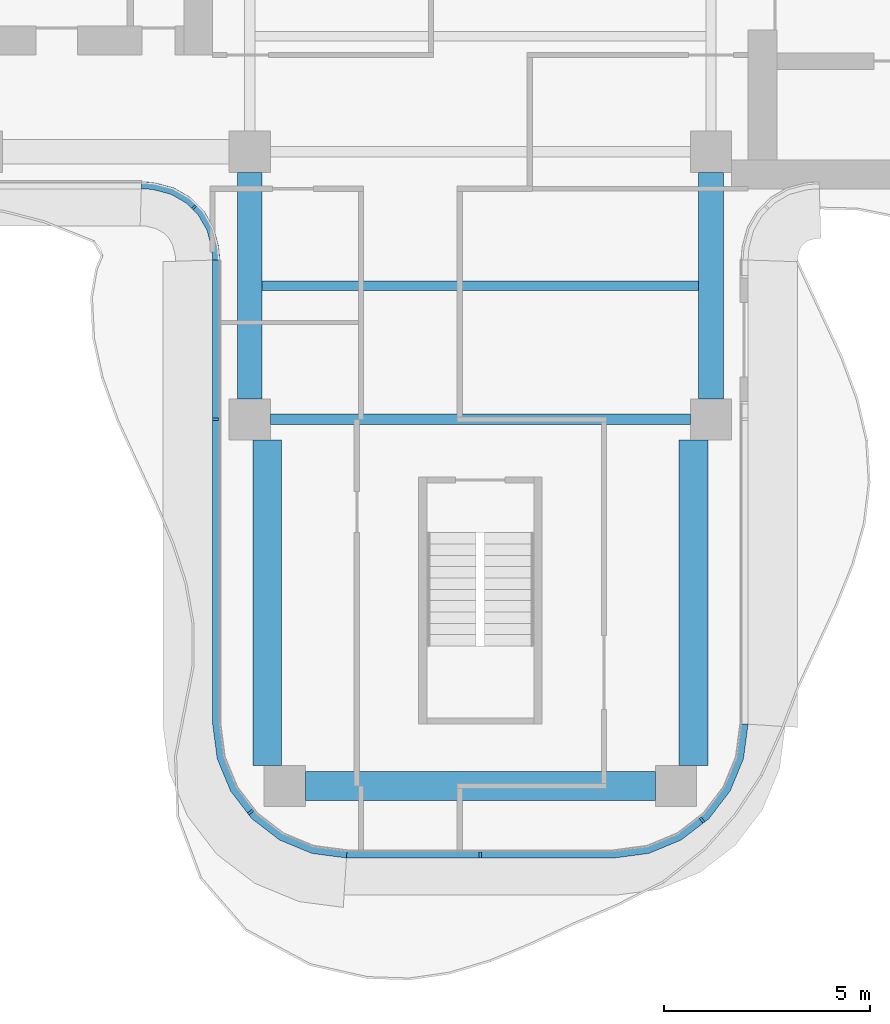
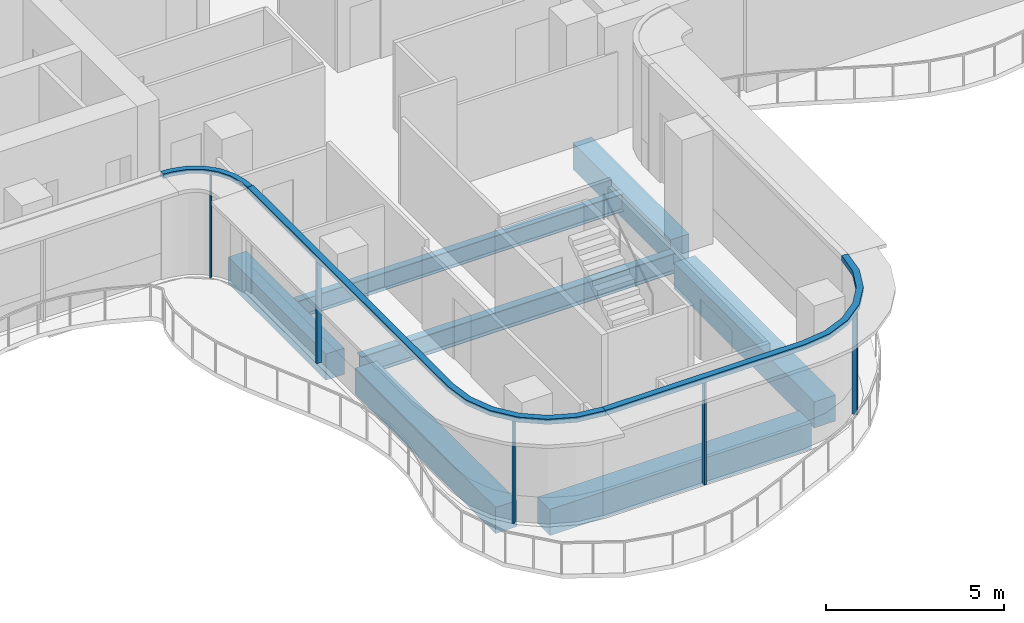
# One storey, part 2 of 17: 8 members, 7 beams, 3 elements without a shape of their own.
"""IFC4 building model written with IfcOpenShell, lengths in metres."""

from ifc_helpers import new_model, si_unit, direction, frame, origin, origin_2d, place, context, subcontext, project, spatial, polyline, rectangle, i_section, outline, extrude, source, transform, mapped, material, layer, layer_set, material_profile, profile_set, type_object, element, aggregate, save


model = new_model("IFC4")

# Units and contexts
model_context = context("Model", 3, precision=1e-05, world=origin(), true_north=direction((0.0, 1.0)))
body_context = subcontext(model_context, "Body", "Model", "MODEL_VIEW")
ifc_project = project(units=[si_unit("LENGTHUNIT", "METRE"), si_unit("AREAUNIT", "SQUARE_METRE"), si_unit("VOLUMEUNIT", "CUBIC_METRE"), si_unit("PLANEANGLEUNIT", "RADIAN"), si_unit("MASSUNIT", "GRAM", prefix="KILO")], contexts=[model_context])

# Site, building, storey
site_placement = place(None, origin())
site = spatial("IfcSite", under=ifc_project, at=site_placement, CompositionType="ELEMENT")
building_placement = place(site_placement, origin())
building = spatial("IfcBuilding", under=site, at=building_placement, Name="Trellis Farm Tower", CompositionType="ELEMENT")
storey_placement = place(building_placement, frame((0.0, 0.0, 283.300048828125)))
storey = spatial("IfcBuildingStorey", under=building, at=storey_placement, Name="L63", CompositionType="ELEMENT", Elevation=283.300048828125)

# Beams
ifc_material_1 = material(Name="Steel S355", Category="steel")
ifc_material_profile_1 = material_profile(ifc_material_1, i_section(OverallWidth=0.22900390625, OverallDepth=0.6123046875, WebThickness=0.011962890625, FlangeThickness=0.01953125, FilletRadius=0.0126953125, at=origin_2d()), Name="UB 610x229x125")
ifc_profile_set_1 = profile_set([ifc_material_profile_1], Name="Steel S355")
beam_type_1 = type_object("IfcBeamType", Name="UB 610x229x125 joist", PredefinedType="JOIST", material=ifc_profile_set_1)
shared_shape_1 = source(origin(), body_context, "Body", "SweptSolid", [
    extrude(i_section(OverallWidth=0.22900390625, OverallDepth=0.6123046875, WebThickness=0.011962890625, FlangeThickness=0.01953125, FilletRadius=0.0126953125, at=origin_2d()), origin(), (0.0, 0.0, 1.0), 10.60009765625),
])
beam_1_placement = place(storey_placement, frame((-5.300048828125, -8.85009765625, -0.506103515625), z_axis=(1.0, 0.0, 0.0), x_axis=(0.0, 1.0, 0.0)))
element("IfcBeam", 1, at=beam_1_placement, inside=storey, type_object=beam_type_1, Name="Floor beam", PredefinedType="JOIST", context=body_context, shape_type="MappedRepresentation", body=[
    mapped(shared_shape_1, transform((0.0, 0.0, 0.0))),
])
ifc_material_profile_2 = material_profile(ifc_material_1, i_section(OverallWidth=0.253662109375, OverallDepth=0.68359375, WebThickness=0.012451171875, FlangeThickness=0.021728515625, FilletRadius=0.01513671875, at=origin_2d()), Name="UB 686x254x140")
ifc_profile_set_2 = profile_set([ifc_material_profile_2], Name="Steel S355")
beam_type_2 = type_object("IfcBeamType", Name="UB 686x254x140", PredefinedType="BEAM", material=ifc_profile_set_2)
shared_shape_2 = source(origin(), body_context, "Body", "SweptSolid", [
    extrude(i_section(OverallWidth=0.253662109375, OverallDepth=0.68359375, WebThickness=0.012451171875, FlangeThickness=0.021728515625, FilletRadius=0.01513671875, at=origin_2d()), origin(), (0.0, 0.0, 1.0), 10.2001953125),
])
beam_2_placement = place(storey_placement, frame((-5.10009765625, -12.10009765625, -0.541748046875), z_axis=(1.0, 0.0, 0.0), x_axis=(0.0, 1.0, 0.0)))
element("IfcBeam", 2, at=beam_2_placement, inside=storey, type_object=beam_type_2, Name="Girder", PredefinedType="BEAM", context=body_context, shape_type="MappedRepresentation", body=[
    mapped(shared_shape_2, transform((0.0, 0.0, 0.0))),
])
ifc_material_2 = material(Name="Concrete C60/75", Category="concrete")
ifc_material_profile_3 = material_profile(ifc_material_2, rectangle(XDim=0.60009765625, YDim=0.89990234375, at=origin_2d()), Name="RC spandrel beam 600x900 C60/75")
ifc_profile_set_3 = profile_set([ifc_material_profile_3], Name="Concrete C60/75")
beam_type_3 = type_object("IfcBeamType", Name="RC spandrel beam 600x900 C60/75", PredefinedType="SPANDREL", material=ifc_profile_set_3)
shared_shape_3 = source(origin(), body_context, "Body", "SweptSolid", [
    extrude(rectangle(XDim=0.60009765625, YDim=0.89990234375, at=origin_2d()), origin(), (0.0, 0.0, 1.0), 5.5),
])
for number, where, z_axis, x_axis, name in (
    (3, (-5.60009765625, -11.60009765625, -0.650146484375), (0.0, 1.0, 0.0), (-1.0, 0.0, 0.0), "Girder"),
    (4, (5.60009765625, -11.60009765625, -0.650146484375), (0.0, 1.0, 0.0), (-1.0, 0.0, 0.0), "Girder"),
):
    element("IfcBeam", number, at=place(storey_placement, frame(where, z_axis=z_axis, x_axis=x_axis)), inside=storey, type_object=beam_type_3, Name=name, PredefinedType="SPANDREL", context=body_context, shape_type="MappedRepresentation", body=[
        mapped(shared_shape_3, transform((0.0, 0.0, 0.0))),
    ])
ifc_material_profile_4 = material_profile(ifc_material_2, rectangle(XDim=0.699951171875, YDim=0.89990234375, at=origin_2d()), Name="RC spandrel beam 700x900 C60/75")
ifc_profile_set_4 = profile_set([ifc_material_profile_4], Name="Concrete C60/75")
beam_type_4 = type_object("IfcBeamType", Name="RC spandrel beam 700x900 C60/75", PredefinedType="SPANDREL", material=ifc_profile_set_4)
shared_shape_4 = source(origin(), body_context, "Body", "SweptSolid", [
    extrude(rectangle(XDim=0.699951171875, YDim=0.89990234375, at=origin_2d()), origin(), (0.0, 0.0, 1.0), 8.5),
])
beam_3_placement = place(storey_placement, frame((-4.25, -21.0, -0.650146484375), z_axis=(1.0, 0.0, 0.0), x_axis=(0.0, 1.0, 0.0)))
element("IfcBeam", 5, at=beam_3_placement, inside=storey, type_object=beam_type_4, Name="Girder", PredefinedType="SPANDREL", context=body_context, shape_type="MappedRepresentation", body=[
    mapped(shared_shape_4, transform((0.0, 0.0, 0.0))),
])
shared_shape_5 = source(origin(), body_context, "Body", "SweptSolid", [
    extrude(rectangle(XDim=0.699951171875, YDim=0.89990234375, at=origin_2d()), origin(), (0.0, 0.0, 1.0), 7.89990234375),
])
for number, where, z_axis, x_axis, name in (
    (6, (-5.175048828125, -20.5, -0.650146484375), (0.0, 1.0, 0.0), (-1.0, 0.0, 0.0), "Girder"),
    (7, (5.175048828125, -20.5, -0.650146484375), (0.0, 1.0, 0.0), (-1.0, 0.0, 0.0), "Girder"),
):
    element("IfcBeam", number, at=place(storey_placement, frame(where, z_axis=z_axis, x_axis=x_axis)), inside=storey, type_object=beam_type_4, Name=name, PredefinedType="SPANDREL", context=body_context, shape_type="MappedRepresentation", body=[
        mapped(shared_shape_5, transform((0.0, 0.0, 0.0))),
    ])

# Curtain wall, member
ifc_material_3 = material(Name="Aluminium and glass curtain wall", Category="aluminium")
ifc_layer_1 = layer(ifc_material_3, 0.166015625)
ifc_layer_set_1 = layer_set([ifc_layer_1], Name="WINTER GARDEN CURTAIN WALL CW3")
curtain_wall_type_1 = type_object("IfcCurtainWallType", Name="WINTER GARDEN CURTAIN WALL CW3", PredefinedType="NOTDEFINED", material=ifc_layer_set_1)
placement_1 = place(storey_placement, origin())
curtain_wall_1 = element("IfcCurtainWall", 8, at=placement_1, inside=storey, type_object=curtain_wall_type_1, Name="CW3 001", PredefinedType="NOTDEFINED")
ifc_material_4 = material(Name="Aluminium extrusion 6063-T6", Category="aluminium")
ifc_layer_2 = layer(ifc_material_4, 0.169921875)
ifc_layer_set_2 = layer_set([ifc_layer_2], Name="Aluminium extrusion 6063-T6")
member_type_1 = type_object("IfcMemberType", Name="CW3 TRANSOM 170x150", PredefinedType="USERDEFINED", material=ifc_layer_set_2)
shared_shape_6 = source(origin(), body_context, "Body", "SweptSolid", [
    extrude(outline(polyline([(-8.2314453125, -6.5), (-8.01953125, -6.513916015625), (-7.91552734375, -6.527587890625), (-7.508544921875, -6.63671875), (-7.144287109375, -6.846923828125), (-6.846923828125, -7.144287109375), (-6.63671875, -7.508544921875), (-6.527587890625, -7.91552734375), (-6.513916015625, -8.01953125), (-6.5, -8.2314453125), (-6.330078125, -8.225830078125), (-6.3447265625, -8.0029296875), (-6.360595703125, -7.88232421875), (-6.478271484375, -7.44287109375), (-6.7109375, -7.0400390625), (-7.0400390625, -6.7109375), (-7.44287109375, -6.478271484375), (-7.88232421875, -6.360595703125), (-8.0029296875, -6.3447265625), (-8.225830078125, -6.330078125), (-8.2314453125, -6.5)])), origin(), (0.0, 0.0, 1.0), 0.14990234375),
])
member_1_placement = place(storey_placement, frame((0.0, 0.0, 3.550048828125)))
member_1 = element("IfcMember", 9, at=member_1_placement, type_object=member_type_1, Name="TR3 001", ObjectType="TRANSOM", PredefinedType="USERDEFINED", context=body_context, shape_type="MappedRepresentation", body=[
    mapped(shared_shape_6, transform((0.0, 0.0, 0.0))),
])

# Curtain wall, members
ifc_layer_3 = layer(ifc_material_3, 0.18994140625)
ifc_layer_set_3 = layer_set([ifc_layer_3], Name="RIBBON CURTAIN WALL CW1")
curtain_wall_type_2 = type_object("IfcCurtainWallType", Name="RIBBON CURTAIN WALL CW1", PredefinedType="NOTDEFINED", material=ifc_layer_set_3)
curtain_wall_2 = element("IfcCurtainWall", 10, at=placement_1, inside=storey, type_object=curtain_wall_type_2, Name="CW1 002", PredefinedType="NOTDEFINED")
ifc_material_profile_5 = material_profile(ifc_material_4, rectangle(XDim=0.06005859375, YDim=0.14990234375, at=origin_2d()), Name="MULLION 60x150")
ifc_profile_set_5 = profile_set([ifc_material_profile_5], Name="Aluminium extrusion 6063-T6")
member_type_2 = type_object("IfcMemberType", Name="CW1 MULLION 60x150", PredefinedType="MULLION", material=ifc_profile_set_5)
shared_shape_7 = source(origin(), body_context, "Body", "SweptSolid", [
    extrude(rectangle(XDim=0.06005859375, YDim=0.14990234375, at=origin_2d()), origin(), (0.0, 0.0, 1.0), 3.52001953125),
])
member_2_placement = place(storey_placement, frame((-6.425048828125, -12.10009765625, 0.0), z_axis=(0.0, 0.0, 1.0), x_axis=(0.0, -1.0, 0.0)))
member_2 = element("IfcMember", 11, at=member_2_placement, type_object=member_type_2, Name="MU1 002-01", PredefinedType="MULLION", context=body_context, shape_type="MappedRepresentation", body=[
    mapped(shared_shape_7, transform((0.0, 0.0, 0.0))),
])
member_3_placement = place(storey_placement, frame((-5.578369140625, -21.635498046875, 0.0), z_axis=(0.0, 0.0, 1.0), x_axis=(0.608761429009, -0.793353340291, 0.0)))
member_3 = element("IfcMember", 12, at=member_3_placement, type_object=member_type_2, Name="MU1 002-02", PredefinedType="MULLION", context=body_context, shape_type="MappedRepresentation", body=[
    mapped(shared_shape_7, transform((0.0, 0.0, 0.0))),
])

curtain_wall_3 = element("IfcCurtainWall", 13, at=placement_1, inside=storey, type_object=curtain_wall_type_2, Name="CW1 003", PredefinedType="NOTDEFINED")
member_4_placement = place(storey_placement, frame((0.0, -22.675048828125, 0.0), z_axis=(0.0, 0.0, 1.0), x_axis=(1.0, 0.0, 0.0)))
member_4 = element("IfcMember", 14, at=member_4_placement, type_object=member_type_2, Name="MU1 003-01", PredefinedType="MULLION", context=body_context, shape_type="MappedRepresentation", body=[
    mapped(shared_shape_7, transform((0.0, 0.0, 0.0))),
])
member_5_placement = place(storey_placement, frame((5.385498046875, -21.828369140625, 0.0), z_axis=(0.0, 0.0, 1.0), x_axis=(0.793353340291, 0.608761429009, 0.0)))
member_5 = element("IfcMember", 15, at=member_5_placement, type_object=member_type_2, Name="MU1 003-02", PredefinedType="MULLION", context=body_context, shape_type="MappedRepresentation", body=[
    mapped(shared_shape_7, transform((0.0, 0.0, 0.0))),
])

# Member
ifc_material_profile_6 = material_profile(ifc_material_4, rectangle(XDim=0.050048828125, YDim=0.1201171875, at=origin_2d()), Name="MULLION 50x120")
ifc_profile_set_6 = profile_set([ifc_material_profile_6], Name="Aluminium extrusion 6063-T6")
member_type_3 = type_object("IfcMemberType", Name="CW3 MULLION 50x120", PredefinedType="MULLION", material=ifc_profile_set_6)
shared_shape_8 = source(origin(), body_context, "Body", "SweptSolid", [
    extrude(rectangle(XDim=0.050048828125, YDim=0.1201171875, at=origin_2d()), origin(), (0.0, 0.0, 1.0), 3.550048828125),
])
member_6_placement = place(storey_placement, frame((-6.953125, -6.953125, 0.0), z_axis=(0.0, 0.0, 1.0), x_axis=(0.707106781187, -0.707106781187, 0.0)))
member_6 = element("IfcMember", 16, at=member_6_placement, type_object=member_type_3, Name="MU3 001-01", PredefinedType="MULLION", context=body_context, shape_type="MappedRepresentation", body=[
    mapped(shared_shape_8, transform((0.0, 0.0, 0.0))),
])

aggregate(curtain_wall_1, [member_6, member_1])

ifc_layer_4 = layer(ifc_material_4, 0.199951171875)
ifc_layer_set_4 = layer_set([ifc_layer_4], Name="Aluminium extrusion 6063-T6")
member_type_4 = type_object("IfcMemberType", Name="CW1 TRANSOM 200x180", PredefinedType="USERDEFINED", material=ifc_layer_set_4)
shared_shape_9 = source(origin(), body_context, "Body", "SweptSolid", [
    extrude(outline(polyline([(-6.5, -8.2314453125), (-6.5, -19.5), (-6.38916015625, -20.341064453125), (-6.064697265625, -21.125), (-5.548095703125, -21.798095703125), (-4.875, -22.314697265625), (-4.091064453125, -22.63916015625), (-3.25, -22.75), (-3.23681640625, -22.550048828125), (-4.0390625, -22.4443359375), (-4.774169921875, -22.139892578125), (-5.405517578125, -21.655517578125), (-5.889892578125, -21.024169921875), (-6.1943359375, -20.2890625), (-6.300048828125, -19.48681640625), (-6.300048828125, -8.224853515625), (-6.5, -8.2314453125)])), origin(), (0.0, 0.0, 1.0), 0.179931640625),
])
placement_2 = place(storey_placement, frame((0.0, 0.0, 3.52001953125)))
member_7 = element("IfcMember", 17, at=placement_2, type_object=member_type_4, Name="TR1 002", ObjectType="TRANSOM", PredefinedType="USERDEFINED", context=body_context, shape_type="MappedRepresentation", body=[
    mapped(shared_shape_9, transform((0.0, 0.0, 0.0))),
])

aggregate(curtain_wall_2, [member_2, member_3, member_7])

shared_shape_10 = source(origin(), body_context, "Body", "SweptSolid", [
    extrude(outline(polyline([(-3.25, -22.75), (3.25, -22.75), (4.091064453125, -22.63916015625), (4.875, -22.314697265625), (5.548095703125, -21.798095703125), (6.064697265625, -21.125), (6.38916015625, -20.341064453125), (6.5, -19.5), (6.300048828125, -19.48681640625), (6.1943359375, -20.2890625), (5.889892578125, -21.024169921875), (5.405517578125, -21.655517578125), (4.774169921875, -22.139892578125), (4.0390625, -22.4443359375), (3.23681640625, -22.550048828125), (-3.23681640625, -22.550048828125), (-3.25, -22.75)])), origin(), (0.0, 0.0, 1.0), 0.179931640625),
])
member_8 = element("IfcMember", 18, at=placement_2, type_object=member_type_4, Name="TR1 003", ObjectType="TRANSOM", PredefinedType="USERDEFINED", context=body_context, shape_type="MappedRepresentation", body=[
    mapped(shared_shape_10, transform((0.0, 0.0, 0.0))),
])

aggregate(curtain_wall_3, [member_4, member_5, member_8])

save(model, "model.ifc")
